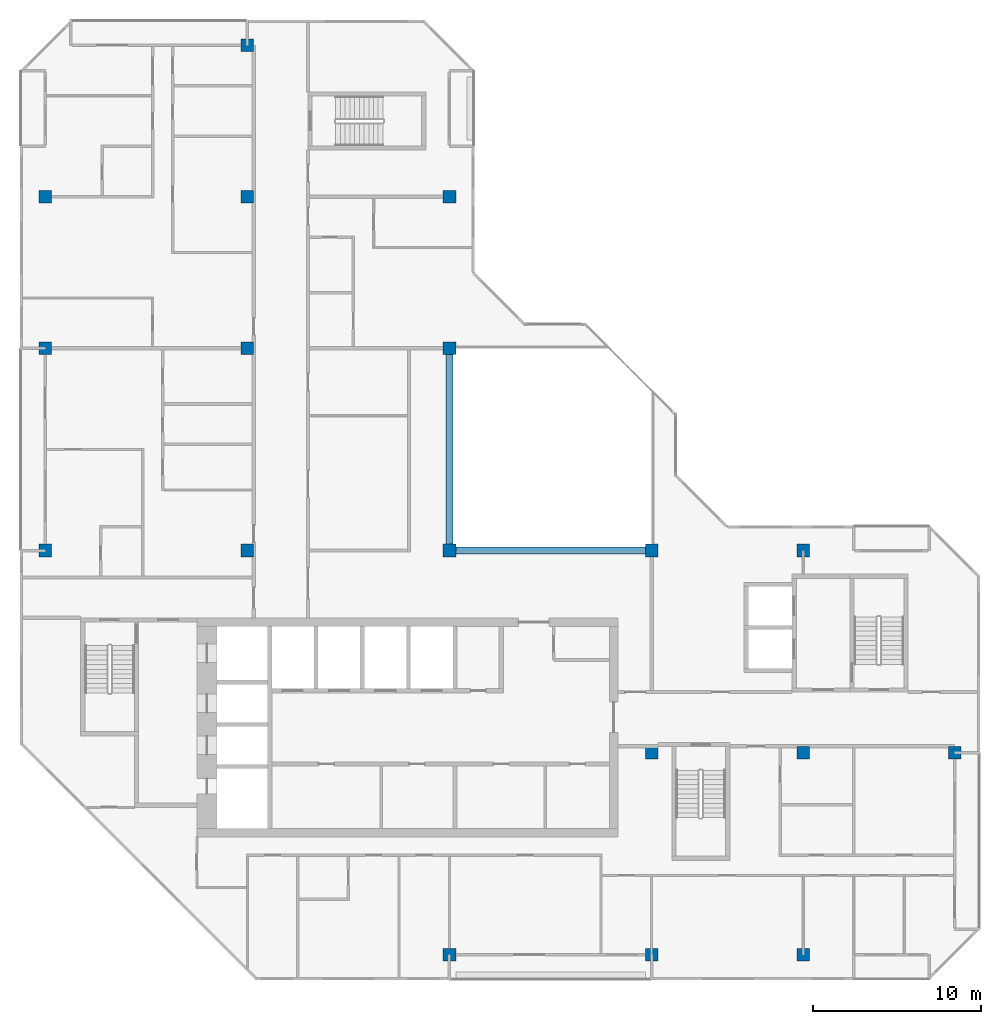
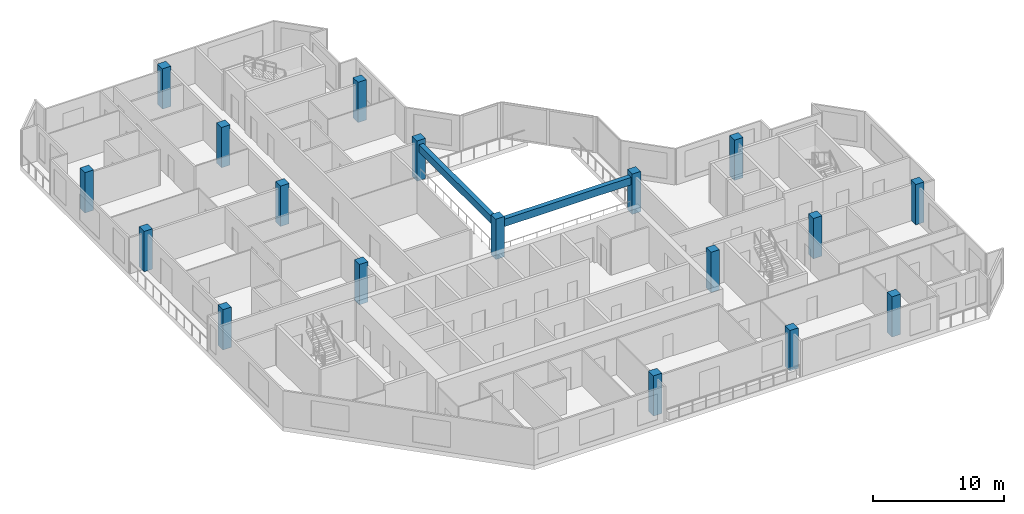
# One storey, part 1 of 12: 18 columns, 2 beams.
"""IFC4 building model written with IfcOpenShell, lengths in metres."""

from ifc_helpers import new_model, si_unit, direction, frame, origin, origin_2d, place, context, subcontext, project, spatial, rectangle, extrude, material, material_profile, profile_set, type_object, element, save


model = new_model("IFC4")

# Units and contexts
model_context = context("Model", 3, precision=1e-05, world=origin(), true_north=direction((0.0, 1.0)))
body_context = subcontext(model_context, "Body", "Model", "MODEL_VIEW")
ifc_project = project(units=[si_unit("LENGTHUNIT", "METRE"), si_unit("AREAUNIT", "SQUARE_METRE"), si_unit("VOLUMEUNIT", "CUBIC_METRE"), si_unit("PLANEANGLEUNIT", "RADIAN"), si_unit("MASSUNIT", "GRAM", prefix="KILO")], contexts=[model_context])

# Site, building, storey
site_placement = place(None, origin())
site = spatial("IfcSite", under=ifc_project, at=site_placement, CompositionType="ELEMENT")
building_placement = place(site_placement, origin())
building = spatial("IfcBuilding", under=site, at=building_placement, Name="Chenar Terraces", CompositionType="ELEMENT")
storey_placement = place(building_placement, frame((0.0, 0.0, 372.64990234375)))
storey = spatial("IfcBuildingStorey", under=building, at=storey_placement, Name="L87", CompositionType="ELEMENT", Elevation=372.64990234375)

# Columns
ifc_material_1 = material(Name="Concrete C50/60", Category="concrete")
ifc_material_profile_1 = material_profile(ifc_material_1, rectangle(XDim=0.75, YDim=0.75, at=origin_2d()), Name="C 750 x 750")
ifc_profile_set_1 = profile_set([ifc_material_profile_1], Name="Concrete C50/60")
column_type = type_object("IfcColumnType", Name="Column C 750 x 750 Concrete C50/60", PredefinedType="COLUMN", material=ifc_profile_set_1)
column_1_placement = place(storey_placement, frame((0.0, 24.0, 0.0), z_axis=(0.0, 0.0, 1.0), x_axis=(1.0, 0.0, 0.0)))
element("IfcColumn", 1, at=column_1_placement, inside=storey, type_object=column_type, Name="Column 5/G L87", PredefinedType="COLUMN", context=body_context, shape_type="SweptSolid", body=[
    extrude(rectangle(XDim=0.75, YDim=0.75, at=origin_2d()), origin(), (0.0, 0.0, 1.0), 3.75),
])
column_2_placement = place(storey_placement, frame((0.0, 36.0, 0.0), z_axis=(0.0, 0.0, 1.0), x_axis=(1.0, 0.0, 0.0)))
element("IfcColumn", 2, at=column_2_placement, inside=storey, type_object=column_type, Name="Column 5/H L87", PredefinedType="COLUMN", context=body_context, shape_type="SweptSolid", body=[
    extrude(rectangle(XDim=0.75, YDim=0.75, at=origin_2d()), origin(), (0.0, 0.0, 1.0), 3.75),
])
column_3_placement = place(storey_placement, frame((0.0, 45.0, 0.0), z_axis=(0.0, 0.0, 1.0), x_axis=(1.0, 0.0, 0.0)))
element("IfcColumn", 3, at=column_3_placement, inside=storey, type_object=column_type, Name="Column 5/J L87", PredefinedType="COLUMN", context=body_context, shape_type="SweptSolid", body=[
    extrude(rectangle(XDim=0.75, YDim=0.75, at=origin_2d()), origin(), (0.0, 0.0, 1.0), 3.75),
])
for number, where, z_axis, x_axis, name in (
    (4, (12.0, 24.0, 0.0), (0.0, 0.0, 1.0), (1.0, 0.0, 0.0), "Column 6/G L87"),
    (5, (12.0, 36.0, 0.0), (0.0, 0.0, 1.0), (1.0, 0.0, 0.0), "Column 6/H L87"),
    (6, (12.0, 45.0, 0.0), (0.0, 0.0, 1.0), (1.0, 0.0, 0.0), "Column 6/J L87"),
    (7, (12.0, 54.0, 0.0), (0.0, 0.0, 1.0), (1.0, 0.0, 0.0), "Column 6/K L87"),
    (8, (24.0, 0.0, 0.0), (0.0, 0.0, 1.0), (1.0, 0.0, 0.0), "Column 7/E L87"),
    (9, (24.0, 24.0, 0.0), (0.0, 0.0, 1.0), (1.0, 0.0, 0.0), "Column 7/G L87"),
    (10, (24.0, 36.0, 0.0), (0.0, 0.0, 1.0), (1.0, 0.0, 0.0), "Column 7/H L87"),
    (11, (24.0, 45.0, 0.0), (0.0, 0.0, 1.0), (1.0, 0.0, 0.0), "Column 7/J L87"),
    (12, (36.0, 0.0, 0.0), (0.0, 0.0, 1.0), (1.0, 0.0, 0.0), "Column 8/E L87"),
    (13, (36.0, 12.0, 0.0), (0.0, 0.0, 1.0), (1.0, 0.0, 0.0), "Column 8/F L87"),
    (14, (36.0, 24.0, 0.0), (0.0, 0.0, 1.0), (1.0, 0.0, 0.0), "Column 8/G L87"),
    (15, (45.0, 0.0, 0.0), (0.0, 0.0, 1.0), (1.0, 0.0, 0.0), "Column 9/E L87"),
    (16, (45.0, 12.0, 0.0), (0.0, 0.0, 1.0), (1.0, 0.0, 0.0), "Column 9/F L87"),
    (17, (45.0, 24.0, 0.0), (0.0, 0.0, 1.0), (1.0, 0.0, 0.0), "Column 9/G L87"),
    (18, (54.0, 12.0, 0.0), (0.0, 0.0, 1.0), (1.0, 0.0, 0.0), "Column 10/F L87"),
):
    element("IfcColumn", number, at=place(storey_placement, frame(where, z_axis=z_axis, x_axis=x_axis)), inside=storey, type_object=column_type, Name=name, PredefinedType="COLUMN", context=body_context, shape_type="SweptSolid", body=[
        extrude(rectangle(XDim=0.75, YDim=0.75, at=origin_2d()), origin(), (0.0, 0.0, 1.0), 3.75),
    ])

# Beams
ifc_material_2 = material(Name="Concrete C40/50", Category="concrete")
ifc_material_profile_2 = material_profile(ifc_material_2, rectangle(XDim=0.39990234375, YDim=0.699951171875, at=origin_2d()), Name="RC 400 x 700")
ifc_profile_set_2 = profile_set([ifc_material_profile_2], Name="Concrete C40/50")
beam_type = type_object("IfcBeamType", Name="Atrium edge beam 400 x 700 Concrete C40/50", PredefinedType="BEAM", material=ifc_profile_set_2)
for number, where, z_axis, x_axis, name in (
    (19, (24.375, 24.0, 3.0), (1.0, 0.0, 0.0), (0.0, 1.0, 0.0), "Atrium edge beam L88 1"),
    (20, (24.0, 35.625, 3.0), (0.0, -1.0, 0.0), (1.0, 0.0, 0.0), "Atrium edge beam L88 4"),
):
    element("IfcBeam", number, at=place(storey_placement, frame(where, z_axis=z_axis, x_axis=x_axis)), inside=storey, type_object=beam_type, Name=name, PredefinedType="BEAM", context=body_context, shape_type="SweptSolid", body=[
        extrude(rectangle(XDim=0.39990234375, YDim=0.699951171875, at=origin_2d()), origin(), (0.0, 0.0, 1.0), 11.25),
    ])

save(model, "model.ifc")
